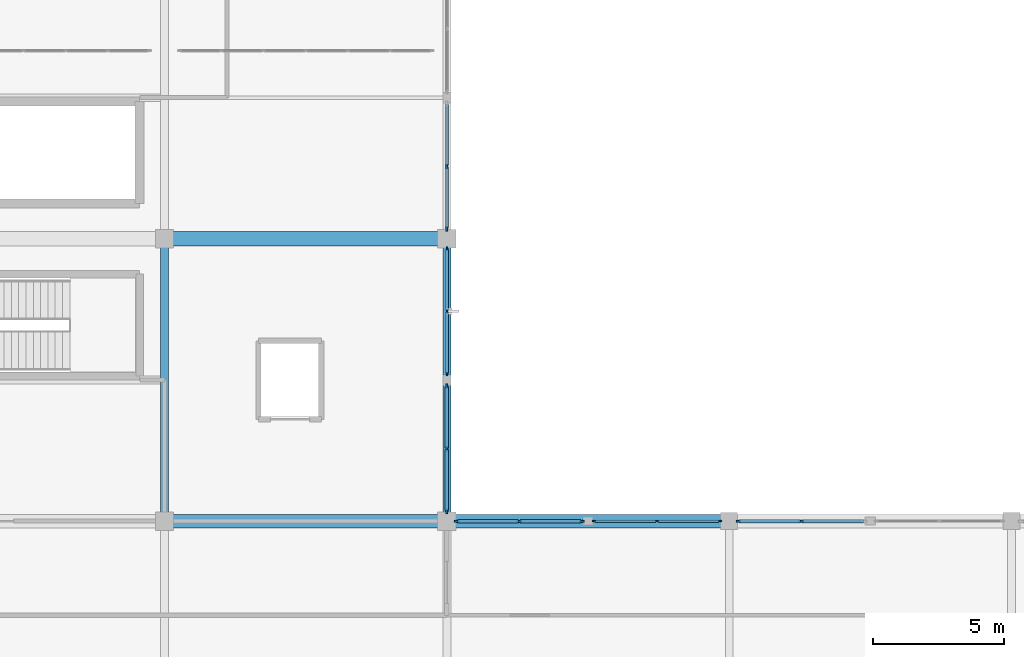
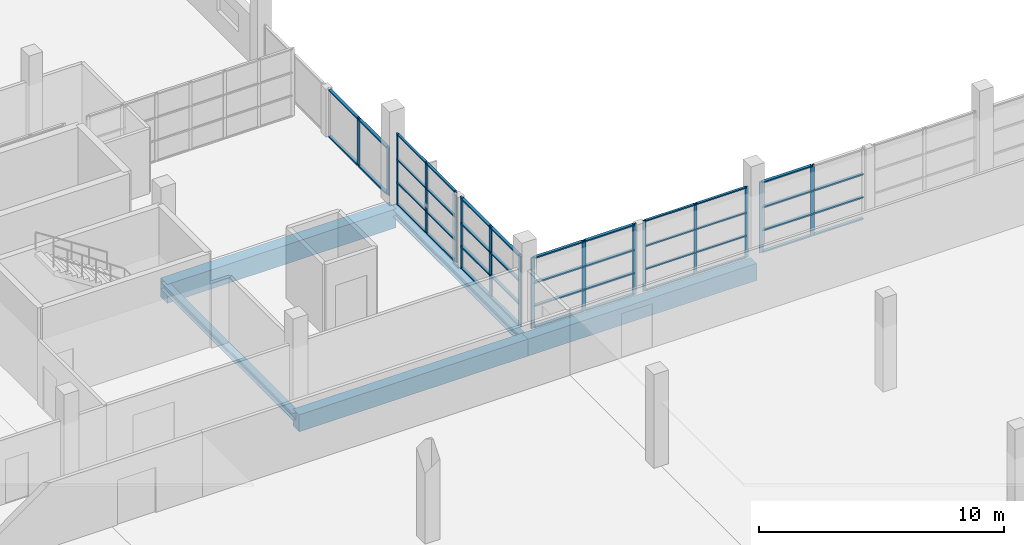
# One storey, part 62 of 142: 59 members, 5 beams, 6 elements without a shape of their own.
"""IFC4 building model written with IfcOpenShell, lengths in metres."""

from ifc_helpers import new_model, si_unit, direction, frame, origin, origin_2d, place, context, subcontext, project, spatial, rectangle, i_section, extrude, material, material_profile, profile_set, type_object, element, aggregate, save


model = new_model("IFC4")

# Units and contexts
model_context = context("Model", 3, precision=1e-05, world=origin(), true_north=direction((0.0, 1.0)))
body_context = subcontext(model_context, "Body", "Model", "MODEL_VIEW")
ifc_project = project(units=[si_unit("LENGTHUNIT", "METRE"), si_unit("AREAUNIT", "SQUARE_METRE"), si_unit("VOLUMEUNIT", "CUBIC_METRE"), si_unit("PLANEANGLEUNIT", "RADIAN"), si_unit("MASSUNIT", "GRAM", prefix="KILO")], contexts=[model_context])

# Site, building, storey
site_placement = place(None, origin())
site = spatial("IfcSite", under=ifc_project, at=site_placement, CompositionType="ELEMENT")
building_placement = place(site_placement, origin())
building = spatial("IfcBuilding", under=site, at=building_placement, Name="Zwinboog Wholesale Market", CompositionType="ELEMENT")
storey_placement = place(building_placement, frame((0.0, 0.0, 5.39990234375)))
storey = spatial("IfcBuildingStorey", under=building, at=storey_placement, Name="L01", CompositionType="ELEMENT", Elevation=5.39990234375)

# Beams
ifc_material_1 = material(Name="Precast concrete C45/55", Category="concrete")
ifc_material_profile_1 = material_profile(ifc_material_1, rectangle(XDim=0.550048828125, YDim=0.949951171875, at=origin_2d()), Name="PC 550x950")
ifc_profile_set_1 = profile_set([ifc_material_profile_1], Name="Precast concrete C45/55")
beam_type_1 = type_object("IfcBeamType", Name="BT-02", PredefinedType="BEAM", material=ifc_profile_set_1)
beam_placement = place(storey_placement, frame((162.0, 43.199951171875, -0.77978515625), z_axis=(1.0, 0.0, 0.0), x_axis=(0.0, 1.0, 0.0)))
element("IfcBeam", 1, at=beam_placement, inside=storey, type_object=beam_type_1, Name="BG-02 (BMG-L01-1620-0432-0474)", PredefinedType="BEAM", context=body_context, shape_type="SweptSolid", body=[
    extrude(rectangle(XDim=0.550048828125, YDim=0.949951171875, at=origin_2d()), origin(), (0.0, 0.0, 1.0), 10.800048828125),
])
ifc_material_profile_2 = material_profile(ifc_material_1, rectangle(XDim=0.5, YDim=0.85009765625, at=origin_2d()), Name="PC 500x850")
ifc_profile_set_2 = profile_set([ifc_material_profile_2], Name="Precast concrete C45/55")
beam_type_2 = type_object("IfcBeamType", Name="BT-03", PredefinedType="BEAM", material=ifc_profile_set_2)
for number, where, z_axis, x_axis, name in (
    (2, (162.0, 32.39990234375, -0.704833984375), (1.0, 0.0, 0.0), (0.0, 1.0, 0.0), "BG-03 (BMG-L01-1620-0324-0456)"),
    (3, (172.800048828125, 32.39990234375, -0.704833984375), (1.0, 0.0, 0.0), (0.0, 1.0, 0.0), "BG-03 (BMG-L01-1728-0324-0457)"),
):
    element("IfcBeam", number, at=place(storey_placement, frame(where, z_axis=z_axis, x_axis=x_axis)), inside=storey, type_object=beam_type_2, Name=name, PredefinedType="BEAM", context=body_context, shape_type="SweptSolid", body=[
        extrude(rectangle(XDim=0.5, YDim=0.85009765625, at=origin_2d()), origin(), (0.0, 0.0, 1.0), 10.800048828125),
    ])
ifc_material_2 = material(Name="Steel S355", Category="steel")
ifc_material_profile_3 = material_profile(ifc_material_2, i_section(OverallWidth=0.300048828125, OverallDepth=0.35009765625, WebThickness=0.010009765625, FlangeThickness=0.017578125, FilletRadius=0.027099609375, at=origin_2d()), Name="HEA 360")
ifc_profile_set_3 = profile_set([ifc_material_profile_3], Name="Steel S355")
beam_type_3 = type_object("IfcBeamType", Name="BT-17", PredefinedType="BEAM", material=ifc_profile_set_3)
for number, where, z_axis, x_axis, name in (
    (4, (162.0, 32.39990234375, -0.47998046875), (0.0, 1.0, 0.0), (-1.0, 0.0, 0.0), "SB-04 (BMG-L01-1620-0324-0736)"),
    (5, (172.800048828125, 32.39990234375, -0.47998046875), (0.0, 1.0, 0.0), (-1.0, 0.0, 0.0), "SB-04 (BMG-L01-1728-0324-0748)"),
):
    element("IfcBeam", number, at=place(storey_placement, frame(where, z_axis=z_axis, x_axis=x_axis)), inside=storey, type_object=beam_type_3, Name=name, PredefinedType="BEAM", context=body_context, shape_type="SweptSolid", body=[
        extrude(i_section(OverallWidth=0.300048828125, OverallDepth=0.35009765625, WebThickness=0.010009765625, FlangeThickness=0.017578125, FilletRadius=0.027099609375, at=origin_2d()), origin(), (0.0, 0.0, 1.0), 10.800048828125),
    ])

# Curtain wall, members
ifc_material_3 = material(Name="Aluminium thermally broken curtain wall", Category="aluminium")
curtain_wall_type_1 = type_object("IfcCurtainWallType", Name="CWT-CAFE-22", PredefinedType="USERDEFINED", material=ifc_material_3)
curtain_wall_1_placement = place(storey_placement, origin())
curtain_wall_1 = element("IfcCurtainWall", 6, at=curtain_wall_1_placement, inside=storey, type_object=curtain_wall_type_1, Name="CW-05 (CW-L01-131)", ObjectType="STOREFRONT_GLAZING", PredefinedType="USERDEFINED")
ifc_material_4 = material(Name="Aluminium EN AW-6060", Category="aluminium")
ifc_material_profile_4 = material_profile(ifc_material_4, rectangle(XDim=0.06494140625, YDim=0.179931640625, at=origin_2d()), Name="AL 65x180")
ifc_profile_set_4 = profile_set([ifc_material_profile_4], Name="Aluminium EN AW-6060")
member_type_1 = type_object("IfcMemberType", Name="CWM-65x180", PredefinedType="MULLION", material=ifc_profile_set_4)
member_1_placement = place(storey_placement, frame((172.800048828125, 32.777587890625, 0.0), z_axis=(0.0, 0.0, 1.0), x_axis=(-1.0, 0.0, 0.0)))
member_1 = element("IfcMember", 7, at=member_1_placement, type_object=member_type_1, Name="CW-05 mullion 1", PredefinedType="MULLION", context=body_context, shape_type="SweptSolid", body=[
    extrude(rectangle(XDim=0.06494140625, YDim=0.179931640625, at=origin_2d()), origin(), (0.0, 0.0, 1.0), 3.530029296875),
])
member_2_placement = place(storey_placement, frame((172.800048828125, 35.172607421875, 0.0), z_axis=(0.0, 0.0, 1.0), x_axis=(-1.0, 0.0, 0.0)))
member_2 = element("IfcMember", 8, at=member_2_placement, type_object=member_type_1, Name="CW-05 mullion 2", PredefinedType="MULLION", context=body_context, shape_type="SweptSolid", body=[
    extrude(rectangle(XDim=0.06494140625, YDim=0.179931640625, at=origin_2d()), origin(), (0.0, 0.0, 1.0), 3.530029296875),
])
member_3_placement = place(storey_placement, frame((172.800048828125, 37.5673828125, 0.0), z_axis=(0.0, 0.0, 1.0), x_axis=(-1.0, 0.0, 0.0)))
member_3 = element("IfcMember", 9, at=member_3_placement, type_object=member_type_1, Name="CW-05 mullion 3", PredefinedType="MULLION", context=body_context, shape_type="SweptSolid", body=[
    extrude(rectangle(XDim=0.06494140625, YDim=0.179931640625, at=origin_2d()), origin(), (0.0, 0.0, 1.0), 3.530029296875),
])

curtain_wall_type_2 = type_object("IfcCurtainWallType", Name="CWT-STALL-18", PredefinedType="USERDEFINED", material=ifc_material_3)
curtain_wall_2_placement = place(storey_placement, origin())
curtain_wall_2 = element("IfcCurtainWall", 10, at=curtain_wall_2_placement, inside=storey, type_object=curtain_wall_type_2, Name="CW-01 (CW-L01-133)", ObjectType="STOREFRONT_GLAZING", PredefinedType="USERDEFINED")
member_4_placement = place(storey_placement, frame((172.800048828125, 43.577392578125, 0.0), z_axis=(0.0, 0.0, 1.0), x_axis=(-1.0, 0.0, 0.0)))
member_4 = element("IfcMember", 11, at=member_4_placement, type_object=member_type_1, Name="CW-01 mullion 1", PredefinedType="MULLION", context=body_context, shape_type="SweptSolid", body=[
    extrude(rectangle(XDim=0.06494140625, YDim=0.179931640625, at=origin_2d()), origin(), (0.0, 0.0, 1.0), 2.380126953125),
])
member_5_placement = place(storey_placement, frame((172.800048828125, 45.972412109375, 0.0), z_axis=(0.0, 0.0, 1.0), x_axis=(-1.0, 0.0, 0.0)))
member_5 = element("IfcMember", 12, at=member_5_placement, type_object=member_type_1, Name="CW-01 mullion 2", PredefinedType="MULLION", context=body_context, shape_type="SweptSolid", body=[
    extrude(rectangle(XDim=0.06494140625, YDim=0.179931640625, at=origin_2d()), origin(), (0.0, 0.0, 1.0), 2.380126953125),
])

curtain_wall_3_placement = place(storey_placement, origin())
curtain_wall_3 = element("IfcCurtainWall", 13, at=curtain_wall_3_placement, inside=storey, type_object=curtain_wall_type_1, Name="CW-05 (CW-L01-143)", ObjectType="STOREFRONT_GLAZING", PredefinedType="USERDEFINED")
member_6_placement = place(storey_placement, frame((173.177490234375, 32.39990234375, 0.0), z_axis=(0.0, 0.0, 1.0), x_axis=(0.0, 1.0, 0.0)))
member_6 = element("IfcMember", 14, at=member_6_placement, type_object=member_type_1, Name="CW-05 mullion 1", PredefinedType="MULLION", context=body_context, shape_type="SweptSolid", body=[
    extrude(rectangle(XDim=0.06494140625, YDim=0.179931640625, at=origin_2d()), origin(), (0.0, 0.0, 1.0), 3.530029296875),
])
member_7_placement = place(storey_placement, frame((175.572509765625, 32.39990234375, 0.0), z_axis=(0.0, 0.0, 1.0), x_axis=(0.0, 1.0, 0.0)))
member_7 = element("IfcMember", 15, at=member_7_placement, type_object=member_type_1, Name="CW-05 mullion 2", PredefinedType="MULLION", context=body_context, shape_type="SweptSolid", body=[
    extrude(rectangle(XDim=0.06494140625, YDim=0.179931640625, at=origin_2d()), origin(), (0.0, 0.0, 1.0), 3.530029296875),
])
member_8_placement = place(storey_placement, frame((177.967529296875, 32.39990234375, 0.0), z_axis=(0.0, 0.0, 1.0), x_axis=(0.0, 1.0, 0.0)))
member_8 = element("IfcMember", 16, at=member_8_placement, type_object=member_type_1, Name="CW-05 mullion 3", PredefinedType="MULLION", context=body_context, shape_type="SweptSolid", body=[
    extrude(rectangle(XDim=0.06494140625, YDim=0.179931640625, at=origin_2d()), origin(), (0.0, 0.0, 1.0), 3.530029296875),
])

curtain_wall_4_placement = place(storey_placement, origin())
curtain_wall_4 = element("IfcCurtainWall", 17, at=curtain_wall_4_placement, inside=storey, type_object=curtain_wall_type_2, Name="CW-01 (CW-L01-145)", ObjectType="STOREFRONT_GLAZING", PredefinedType="USERDEFINED")
member_9_placement = place(storey_placement, frame((183.952392578125, 32.39990234375, 0.0), z_axis=(0.0, 0.0, 1.0), x_axis=(0.0, 1.0, 0.0)))
member_9 = element("IfcMember", 18, at=member_9_placement, type_object=member_type_1, Name="CW-01 mullion 1", PredefinedType="MULLION", context=body_context, shape_type="SweptSolid", body=[
    extrude(rectangle(XDim=0.06494140625, YDim=0.179931640625, at=origin_2d()), origin(), (0.0, 0.0, 1.0), 3.530029296875),
])
member_10_placement = place(storey_placement, frame((186.360107421875, 32.39990234375, 0.0), z_axis=(0.0, 0.0, 1.0), x_axis=(0.0, 1.0, 0.0)))
member_10 = element("IfcMember", 19, at=member_10_placement, type_object=member_type_1, Name="CW-01 mullion 2", PredefinedType="MULLION", context=body_context, shape_type="SweptSolid", body=[
    extrude(rectangle(XDim=0.06494140625, YDim=0.179931640625, at=origin_2d()), origin(), (0.0, 0.0, 1.0), 3.530029296875),
])

curtain_wall_type_3 = type_object("IfcCurtainWallType", Name="CWT-OFF-15", PredefinedType="USERDEFINED", material=ifc_material_3)
curtain_wall_5_placement = place(storey_placement, origin())
curtain_wall_5 = element("IfcCurtainWall", 20, at=curtain_wall_5_placement, inside=storey, type_object=curtain_wall_type_3, Name="CW-06 (CW-L01-132)", ObjectType="UNITIZED_CURTAIN_WALL", PredefinedType="USERDEFINED")
ifc_material_profile_5 = material_profile(ifc_material_4, rectangle(XDim=0.06005859375, YDim=0.14990234375, at=origin_2d()), Name="AL 60x150")
ifc_profile_set_5 = profile_set([ifc_material_profile_5], Name="Aluminium EN AW-6060")
member_type_2 = type_object("IfcMemberType", Name="CWM-60x150", PredefinedType="MULLION", material=ifc_profile_set_5)
member_11_placement = place(storey_placement, frame((172.800048828125, 38.030029296875, 0.0), z_axis=(0.0, 0.0, 1.0), x_axis=(-1.0, 0.0, 0.0)))
member_11 = element("IfcMember", 21, at=member_11_placement, type_object=member_type_2, Name="CW-06 mullion 1", PredefinedType="MULLION", context=body_context, shape_type="SweptSolid", body=[
    extrude(rectangle(XDim=0.06005859375, YDim=0.14990234375, at=origin_2d()), origin(), (0.0, 0.0, 1.0), 3.530029296875),
])
member_12_placement = place(storey_placement, frame((172.800048828125, 40.427490234375, 0.0), z_axis=(0.0, 0.0, 1.0), x_axis=(-1.0, 0.0, 0.0)))
member_12 = element("IfcMember", 22, at=member_12_placement, type_object=member_type_2, Name="CW-06 mullion 2", PredefinedType="MULLION", context=body_context, shape_type="SweptSolid", body=[
    extrude(rectangle(XDim=0.06005859375, YDim=0.14990234375, at=origin_2d()), origin(), (0.0, 0.0, 1.0), 3.530029296875),
])
member_13_placement = place(storey_placement, frame((172.800048828125, 42.824951171875, 0.0), z_axis=(0.0, 0.0, 1.0), x_axis=(-1.0, 0.0, 0.0)))
member_13 = element("IfcMember", 23, at=member_13_placement, type_object=member_type_2, Name="CW-06 mullion 3", PredefinedType="MULLION", context=body_context, shape_type="SweptSolid", body=[
    extrude(rectangle(XDim=0.06005859375, YDim=0.14990234375, at=origin_2d()), origin(), (0.0, 0.0, 1.0), 3.530029296875),
])

curtain_wall_6_placement = place(storey_placement, origin())
curtain_wall_6 = element("IfcCurtainWall", 24, at=curtain_wall_6_placement, inside=storey, type_object=curtain_wall_type_3, Name="CW-06 (CW-L01-144)", ObjectType="UNITIZED_CURTAIN_WALL", PredefinedType="USERDEFINED")
member_14_placement = place(storey_placement, frame((178.429931640625, 32.39990234375, 0.0), z_axis=(0.0, 0.0, 1.0), x_axis=(0.0, 1.0, 0.0)))
member_14 = element("IfcMember", 25, at=member_14_placement, type_object=member_type_2, Name="CW-06 mullion 1", PredefinedType="MULLION", context=body_context, shape_type="SweptSolid", body=[
    extrude(rectangle(XDim=0.06005859375, YDim=0.14990234375, at=origin_2d()), origin(), (0.0, 0.0, 1.0), 3.530029296875),
])
member_15_placement = place(storey_placement, frame((180.840087890625, 32.39990234375, 0.0), z_axis=(0.0, 0.0, 1.0), x_axis=(0.0, 1.0, 0.0)))
member_15 = element("IfcMember", 26, at=member_15_placement, type_object=member_type_2, Name="CW-06 mullion 2", PredefinedType="MULLION", context=body_context, shape_type="SweptSolid", body=[
    extrude(rectangle(XDim=0.06005859375, YDim=0.14990234375, at=origin_2d()), origin(), (0.0, 0.0, 1.0), 3.530029296875),
])
member_16_placement = place(storey_placement, frame((183.25, 32.39990234375, 0.0), z_axis=(0.0, 0.0, 1.0), x_axis=(0.0, 1.0, 0.0)))
member_16 = element("IfcMember", 27, at=member_16_placement, type_object=member_type_2, Name="CW-06 mullion 3", PredefinedType="MULLION", context=body_context, shape_type="SweptSolid", body=[
    extrude(rectangle(XDim=0.06005859375, YDim=0.14990234375, at=origin_2d()), origin(), (0.0, 0.0, 1.0), 3.530029296875),
])

# Member
ifc_material_profile_6 = material_profile(ifc_material_4, rectangle(XDim=0.139892578125, YDim=0.06494140625, at=origin_2d()), Name="AL 65x140")
ifc_profile_set_6 = profile_set([ifc_material_profile_6], Name="Aluminium EN AW-6060")
member_type_3 = type_object("IfcMemberType", Name="CWT-65x140", PredefinedType="USERDEFINED", material=ifc_profile_set_6)
member_17_placement = place(storey_placement, frame((172.800048828125, 32.81005859375, 0.03271484375), z_axis=(0.0, 1.0, 0.0), x_axis=(-1.0, 0.0, 0.0)))
member_17 = element("IfcMember", 28, at=member_17_placement, type_object=member_type_3, Name="CW-05 transom 1.1", ObjectType="TRANSOM", PredefinedType="USERDEFINED", context=body_context, shape_type="SweptSolid", body=[
    extrude(rectangle(XDim=0.139892578125, YDim=0.06494140625, at=origin_2d()), origin(), (0.0, 0.0, 1.0), 2.329833984375),
])

member_18_placement = place(storey_placement, frame((172.800048828125, 32.81005859375, 1.10009765625), z_axis=(0.0, 1.0, 0.0), x_axis=(-1.0, 0.0, 0.0)))
member_18 = element("IfcMember", 29, at=member_18_placement, type_object=member_type_3, Name="CW-05 transom 1.2", ObjectType="TRANSOM", PredefinedType="USERDEFINED", context=body_context, shape_type="SweptSolid", body=[
    extrude(rectangle(XDim=0.139892578125, YDim=0.06494140625, at=origin_2d()), origin(), (0.0, 0.0, 1.0), 2.329833984375),
])

member_19_placement = place(storey_placement, frame((172.800048828125, 32.81005859375, 2.25), z_axis=(0.0, 1.0, 0.0), x_axis=(-1.0, 0.0, 0.0)))
member_19 = element("IfcMember", 30, at=member_19_placement, type_object=member_type_3, Name="CW-05 transom 1.3", ObjectType="TRANSOM", PredefinedType="USERDEFINED", context=body_context, shape_type="SweptSolid", body=[
    extrude(rectangle(XDim=0.139892578125, YDim=0.06494140625, at=origin_2d()), origin(), (0.0, 0.0, 1.0), 2.329833984375),
])

member_20_placement = place(storey_placement, frame((172.800048828125, 32.81005859375, 3.49755859375), z_axis=(0.0, 1.0, 0.0), x_axis=(-1.0, 0.0, 0.0)))
member_20 = element("IfcMember", 31, at=member_20_placement, type_object=member_type_3, Name="CW-05 transom 1.4", ObjectType="TRANSOM", PredefinedType="USERDEFINED", context=body_context, shape_type="SweptSolid", body=[
    extrude(rectangle(XDim=0.139892578125, YDim=0.06494140625, at=origin_2d()), origin(), (0.0, 0.0, 1.0), 2.329833984375),
])

member_21_placement = place(storey_placement, frame((172.800048828125, 35.205078125, 0.03271484375), z_axis=(0.0, 1.0, 0.0), x_axis=(-1.0, 0.0, 0.0)))
member_21 = element("IfcMember", 32, at=member_21_placement, type_object=member_type_3, Name="CW-05 transom 2.1", ObjectType="TRANSOM", PredefinedType="USERDEFINED", context=body_context, shape_type="SweptSolid", body=[
    extrude(rectangle(XDim=0.139892578125, YDim=0.06494140625, at=origin_2d()), origin(), (0.0, 0.0, 1.0), 2.329833984375),
])

member_22_placement = place(storey_placement, frame((172.800048828125, 35.205078125, 1.10009765625), z_axis=(0.0, 1.0, 0.0), x_axis=(-1.0, 0.0, 0.0)))
member_22 = element("IfcMember", 33, at=member_22_placement, type_object=member_type_3, Name="CW-05 transom 2.2", ObjectType="TRANSOM", PredefinedType="USERDEFINED", context=body_context, shape_type="SweptSolid", body=[
    extrude(rectangle(XDim=0.139892578125, YDim=0.06494140625, at=origin_2d()), origin(), (0.0, 0.0, 1.0), 2.329833984375),
])

member_23_placement = place(storey_placement, frame((172.800048828125, 35.205078125, 2.25), z_axis=(0.0, 1.0, 0.0), x_axis=(-1.0, 0.0, 0.0)))
member_23 = element("IfcMember", 34, at=member_23_placement, type_object=member_type_3, Name="CW-05 transom 2.3", ObjectType="TRANSOM", PredefinedType="USERDEFINED", context=body_context, shape_type="SweptSolid", body=[
    extrude(rectangle(XDim=0.139892578125, YDim=0.06494140625, at=origin_2d()), origin(), (0.0, 0.0, 1.0), 2.329833984375),
])

member_24_placement = place(storey_placement, frame((172.800048828125, 35.205078125, 3.49755859375), z_axis=(0.0, 1.0, 0.0), x_axis=(-1.0, 0.0, 0.0)))
member_24 = element("IfcMember", 35, at=member_24_placement, type_object=member_type_3, Name="CW-05 transom 2.4", ObjectType="TRANSOM", PredefinedType="USERDEFINED", context=body_context, shape_type="SweptSolid", body=[
    extrude(rectangle(XDim=0.139892578125, YDim=0.06494140625, at=origin_2d()), origin(), (0.0, 0.0, 1.0), 2.329833984375),
])

aggregate(curtain_wall_1, [member_1, member_2, member_3, member_17, member_18, member_19, member_20, member_21, member_22, member_23, member_24])

member_25_placement = place(storey_placement, frame((172.800048828125, 43.610107421875, 0.03271484375), z_axis=(0.0, 1.0, 0.0), x_axis=(-1.0, 0.0, 0.0)))
member_25 = element("IfcMember", 36, at=member_25_placement, type_object=member_type_3, Name="CW-01 transom 1.1", ObjectType="TRANSOM", PredefinedType="USERDEFINED", context=body_context, shape_type="SweptSolid", body=[
    extrude(rectangle(XDim=0.139892578125, YDim=0.06494140625, at=origin_2d()), origin(), (0.0, 0.0, 1.0), 2.329833984375),
])

member_26_placement = place(storey_placement, frame((172.800048828125, 43.610107421875, 2.34765625), z_axis=(0.0, 1.0, 0.0), x_axis=(-1.0, 0.0, 0.0)))
member_26 = element("IfcMember", 37, at=member_26_placement, type_object=member_type_3, Name="CW-01 transom 1.2", ObjectType="TRANSOM", PredefinedType="USERDEFINED", context=body_context, shape_type="SweptSolid", body=[
    extrude(rectangle(XDim=0.139892578125, YDim=0.06494140625, at=origin_2d()), origin(), (0.0, 0.0, 1.0), 2.329833984375),
])

member_27_placement = place(storey_placement, frame((172.800048828125, 46.0048828125, 0.03271484375), z_axis=(0.0, 1.0, 0.0), x_axis=(-1.0, 0.0, 0.0)))
member_27 = element("IfcMember", 38, at=member_27_placement, type_object=member_type_3, Name="CW-01 transom 2.1", ObjectType="TRANSOM", PredefinedType="USERDEFINED", context=body_context, shape_type="SweptSolid", body=[
    extrude(rectangle(XDim=0.139892578125, YDim=0.06494140625, at=origin_2d()), origin(), (0.0, 0.0, 1.0), 2.330078125),
])

member_28_placement = place(storey_placement, frame((172.800048828125, 46.0048828125, 2.34765625), z_axis=(0.0, 1.0, 0.0), x_axis=(-1.0, 0.0, 0.0)))
member_28 = element("IfcMember", 39, at=member_28_placement, type_object=member_type_3, Name="CW-01 transom 2.2", ObjectType="TRANSOM", PredefinedType="USERDEFINED", context=body_context, shape_type="SweptSolid", body=[
    extrude(rectangle(XDim=0.139892578125, YDim=0.06494140625, at=origin_2d()), origin(), (0.0, 0.0, 1.0), 2.330078125),
])

aggregate(curtain_wall_2, [member_4, member_5, member_25, member_26, member_27, member_28])

member_29_placement = place(storey_placement, frame((173.2099609375, 32.39990234375, 0.03271484375), z_axis=(1.0, 0.0, 0.0), x_axis=(0.0, 1.0, 0.0)))
member_29 = element("IfcMember", 40, at=member_29_placement, type_object=member_type_3, Name="CW-05 transom 1.1", ObjectType="TRANSOM", PredefinedType="USERDEFINED", context=body_context, shape_type="SweptSolid", body=[
    extrude(rectangle(XDim=0.139892578125, YDim=0.06494140625, at=origin_2d()), origin(), (0.0, 0.0, 1.0), 2.330078125),
])

member_30_placement = place(storey_placement, frame((173.2099609375, 32.39990234375, 1.10009765625), z_axis=(1.0, 0.0, 0.0), x_axis=(0.0, 1.0, 0.0)))
member_30 = element("IfcMember", 41, at=member_30_placement, type_object=member_type_3, Name="CW-05 transom 1.2", ObjectType="TRANSOM", PredefinedType="USERDEFINED", context=body_context, shape_type="SweptSolid", body=[
    extrude(rectangle(XDim=0.139892578125, YDim=0.06494140625, at=origin_2d()), origin(), (0.0, 0.0, 1.0), 2.330078125),
])

member_31_placement = place(storey_placement, frame((173.2099609375, 32.39990234375, 2.25), z_axis=(1.0, 0.0, 0.0), x_axis=(0.0, 1.0, 0.0)))
member_31 = element("IfcMember", 42, at=member_31_placement, type_object=member_type_3, Name="CW-05 transom 1.3", ObjectType="TRANSOM", PredefinedType="USERDEFINED", context=body_context, shape_type="SweptSolid", body=[
    extrude(rectangle(XDim=0.139892578125, YDim=0.06494140625, at=origin_2d()), origin(), (0.0, 0.0, 1.0), 2.330078125),
])

member_32_placement = place(storey_placement, frame((173.2099609375, 32.39990234375, 3.49755859375), z_axis=(1.0, 0.0, 0.0), x_axis=(0.0, 1.0, 0.0)))
member_32 = element("IfcMember", 43, at=member_32_placement, type_object=member_type_3, Name="CW-05 transom 1.4", ObjectType="TRANSOM", PredefinedType="USERDEFINED", context=body_context, shape_type="SweptSolid", body=[
    extrude(rectangle(XDim=0.139892578125, YDim=0.06494140625, at=origin_2d()), origin(), (0.0, 0.0, 1.0), 2.330078125),
])

member_33_placement = place(storey_placement, frame((175.60498046875, 32.39990234375, 0.03271484375), z_axis=(1.0, 0.0, 0.0), x_axis=(0.0, 1.0, 0.0)))
member_33 = element("IfcMember", 44, at=member_33_placement, type_object=member_type_3, Name="CW-05 transom 2.1", ObjectType="TRANSOM", PredefinedType="USERDEFINED", context=body_context, shape_type="SweptSolid", body=[
    extrude(rectangle(XDim=0.139892578125, YDim=0.06494140625, at=origin_2d()), origin(), (0.0, 0.0, 1.0), 2.330078125),
])

member_34_placement = place(storey_placement, frame((175.60498046875, 32.39990234375, 1.10009765625), z_axis=(1.0, 0.0, 0.0), x_axis=(0.0, 1.0, 0.0)))
member_34 = element("IfcMember", 45, at=member_34_placement, type_object=member_type_3, Name="CW-05 transom 2.2", ObjectType="TRANSOM", PredefinedType="USERDEFINED", context=body_context, shape_type="SweptSolid", body=[
    extrude(rectangle(XDim=0.139892578125, YDim=0.06494140625, at=origin_2d()), origin(), (0.0, 0.0, 1.0), 2.330078125),
])

member_35_placement = place(storey_placement, frame((175.60498046875, 32.39990234375, 2.25), z_axis=(1.0, 0.0, 0.0), x_axis=(0.0, 1.0, 0.0)))
member_35 = element("IfcMember", 46, at=member_35_placement, type_object=member_type_3, Name="CW-05 transom 2.3", ObjectType="TRANSOM", PredefinedType="USERDEFINED", context=body_context, shape_type="SweptSolid", body=[
    extrude(rectangle(XDim=0.139892578125, YDim=0.06494140625, at=origin_2d()), origin(), (0.0, 0.0, 1.0), 2.330078125),
])

member_36_placement = place(storey_placement, frame((175.60498046875, 32.39990234375, 3.49755859375), z_axis=(1.0, 0.0, 0.0), x_axis=(0.0, 1.0, 0.0)))
member_36 = element("IfcMember", 47, at=member_36_placement, type_object=member_type_3, Name="CW-05 transom 2.4", ObjectType="TRANSOM", PredefinedType="USERDEFINED", context=body_context, shape_type="SweptSolid", body=[
    extrude(rectangle(XDim=0.139892578125, YDim=0.06494140625, at=origin_2d()), origin(), (0.0, 0.0, 1.0), 2.330078125),
])

aggregate(curtain_wall_3, [member_6, member_7, member_8, member_29, member_30, member_31, member_32, member_33, member_34, member_35, member_36])

member_37_placement = place(storey_placement, frame((183.985107421875, 32.39990234375, 0.03271484375), z_axis=(1.0, 0.0, 0.0), x_axis=(0.0, 1.0, 0.0)))
member_37 = element("IfcMember", 48, at=member_37_placement, type_object=member_type_3, Name="CW-01 transom 1.1", ObjectType="TRANSOM", PredefinedType="USERDEFINED", context=body_context, shape_type="SweptSolid", body=[
    extrude(rectangle(XDim=0.139892578125, YDim=0.06494140625, at=origin_2d()), origin(), (0.0, 0.0, 1.0), 2.34228515625),
])

member_38_placement = place(storey_placement, frame((183.985107421875, 32.39990234375, 1.10009765625), z_axis=(1.0, 0.0, 0.0), x_axis=(0.0, 1.0, 0.0)))
member_38 = element("IfcMember", 49, at=member_38_placement, type_object=member_type_3, Name="CW-01 transom 1.2", ObjectType="TRANSOM", PredefinedType="USERDEFINED", context=body_context, shape_type="SweptSolid", body=[
    extrude(rectangle(XDim=0.139892578125, YDim=0.06494140625, at=origin_2d()), origin(), (0.0, 0.0, 1.0), 2.34228515625),
])

member_39_placement = place(storey_placement, frame((183.985107421875, 32.39990234375, 2.25), z_axis=(1.0, 0.0, 0.0), x_axis=(0.0, 1.0, 0.0)))
member_39 = element("IfcMember", 50, at=member_39_placement, type_object=member_type_3, Name="CW-01 transom 1.3", ObjectType="TRANSOM", PredefinedType="USERDEFINED", context=body_context, shape_type="SweptSolid", body=[
    extrude(rectangle(XDim=0.139892578125, YDim=0.06494140625, at=origin_2d()), origin(), (0.0, 0.0, 1.0), 2.34228515625),
])

member_40_placement = place(storey_placement, frame((183.985107421875, 32.39990234375, 3.49755859375), z_axis=(1.0, 0.0, 0.0), x_axis=(0.0, 1.0, 0.0)))
member_40 = element("IfcMember", 51, at=member_40_placement, type_object=member_type_3, Name="CW-01 transom 1.4", ObjectType="TRANSOM", PredefinedType="USERDEFINED", context=body_context, shape_type="SweptSolid", body=[
    extrude(rectangle(XDim=0.139892578125, YDim=0.06494140625, at=origin_2d()), origin(), (0.0, 0.0, 1.0), 2.34228515625),
])

member_41_placement = place(storey_placement, frame((186.392578125, 32.39990234375, 0.03271484375), z_axis=(1.0, 0.0, 0.0), x_axis=(0.0, 1.0, 0.0)))
member_41 = element("IfcMember", 52, at=member_41_placement, type_object=member_type_3, Name="CW-01 transom 2.1", ObjectType="TRANSOM", PredefinedType="USERDEFINED", context=body_context, shape_type="SweptSolid", body=[
    extrude(rectangle(XDim=0.139892578125, YDim=0.06494140625, at=origin_2d()), origin(), (0.0, 0.0, 1.0), 2.342529296875),
])

member_42_placement = place(storey_placement, frame((186.392578125, 32.39990234375, 1.10009765625), z_axis=(1.0, 0.0, 0.0), x_axis=(0.0, 1.0, 0.0)))
member_42 = element("IfcMember", 53, at=member_42_placement, type_object=member_type_3, Name="CW-01 transom 2.2", ObjectType="TRANSOM", PredefinedType="USERDEFINED", context=body_context, shape_type="SweptSolid", body=[
    extrude(rectangle(XDim=0.139892578125, YDim=0.06494140625, at=origin_2d()), origin(), (0.0, 0.0, 1.0), 2.342529296875),
])

member_43_placement = place(storey_placement, frame((186.392578125, 32.39990234375, 2.25), z_axis=(1.0, 0.0, 0.0), x_axis=(0.0, 1.0, 0.0)))
member_43 = element("IfcMember", 54, at=member_43_placement, type_object=member_type_3, Name="CW-01 transom 2.3", ObjectType="TRANSOM", PredefinedType="USERDEFINED", context=body_context, shape_type="SweptSolid", body=[
    extrude(rectangle(XDim=0.139892578125, YDim=0.06494140625, at=origin_2d()), origin(), (0.0, 0.0, 1.0), 2.342529296875),
])

aggregate(curtain_wall_4, [member_9, member_10, member_37, member_38, member_39, member_40, member_41, member_42, member_43])

ifc_material_profile_7 = material_profile(ifc_material_4, rectangle(XDim=0.110107421875, YDim=0.06005859375, at=origin_2d()), Name="AL 60x110")
ifc_profile_set_7 = profile_set([ifc_material_profile_7], Name="Aluminium EN AW-6060")
member_type_4 = type_object("IfcMemberType", Name="CWT-60x110", PredefinedType="USERDEFINED", material=ifc_profile_set_7)
member_44_placement = place(storey_placement, frame((172.800048828125, 38.06005859375, 0.030029296875), z_axis=(0.0, 1.0, 0.0), x_axis=(-1.0, 0.0, 0.0)))
member_44 = element("IfcMember", 55, at=member_44_placement, type_object=member_type_4, Name="CW-06 transom 1.1", ObjectType="TRANSOM", PredefinedType="USERDEFINED", context=body_context, shape_type="SweptSolid", body=[
    extrude(rectangle(XDim=0.110107421875, YDim=0.06005859375, at=origin_2d()), origin(), (0.0, 0.0, 1.0), 2.33740234375),
])

member_45_placement = place(storey_placement, frame((172.800048828125, 38.06005859375, 1.10009765625), z_axis=(0.0, 1.0, 0.0), x_axis=(-1.0, 0.0, 0.0)))
member_45 = element("IfcMember", 56, at=member_45_placement, type_object=member_type_4, Name="CW-06 transom 1.2", ObjectType="TRANSOM", PredefinedType="USERDEFINED", context=body_context, shape_type="SweptSolid", body=[
    extrude(rectangle(XDim=0.110107421875, YDim=0.06005859375, at=origin_2d()), origin(), (0.0, 0.0, 1.0), 2.33740234375),
])

member_46_placement = place(storey_placement, frame((172.800048828125, 38.06005859375, 2.25), z_axis=(0.0, 1.0, 0.0), x_axis=(-1.0, 0.0, 0.0)))
member_46 = element("IfcMember", 57, at=member_46_placement, type_object=member_type_4, Name="CW-06 transom 1.3", ObjectType="TRANSOM", PredefinedType="USERDEFINED", context=body_context, shape_type="SweptSolid", body=[
    extrude(rectangle(XDim=0.110107421875, YDim=0.06005859375, at=origin_2d()), origin(), (0.0, 0.0, 1.0), 2.33740234375),
])

member_47_placement = place(storey_placement, frame((172.800048828125, 38.06005859375, 3.5), z_axis=(0.0, 1.0, 0.0), x_axis=(-1.0, 0.0, 0.0)))
member_47 = element("IfcMember", 58, at=member_47_placement, type_object=member_type_4, Name="CW-06 transom 1.4", ObjectType="TRANSOM", PredefinedType="USERDEFINED", context=body_context, shape_type="SweptSolid", body=[
    extrude(rectangle(XDim=0.110107421875, YDim=0.06005859375, at=origin_2d()), origin(), (0.0, 0.0, 1.0), 2.33740234375),
])

member_48_placement = place(storey_placement, frame((172.800048828125, 40.45751953125, 0.030029296875), z_axis=(0.0, 1.0, 0.0), x_axis=(-1.0, 0.0, 0.0)))
member_48 = element("IfcMember", 59, at=member_48_placement, type_object=member_type_4, Name="CW-06 transom 2.1", ObjectType="TRANSOM", PredefinedType="USERDEFINED", context=body_context, shape_type="SweptSolid", body=[
    extrude(rectangle(XDim=0.110107421875, YDim=0.06005859375, at=origin_2d()), origin(), (0.0, 0.0, 1.0), 2.33740234375),
])

member_49_placement = place(storey_placement, frame((172.800048828125, 40.45751953125, 1.10009765625), z_axis=(0.0, 1.0, 0.0), x_axis=(-1.0, 0.0, 0.0)))
member_49 = element("IfcMember", 60, at=member_49_placement, type_object=member_type_4, Name="CW-06 transom 2.2", ObjectType="TRANSOM", PredefinedType="USERDEFINED", context=body_context, shape_type="SweptSolid", body=[
    extrude(rectangle(XDim=0.110107421875, YDim=0.06005859375, at=origin_2d()), origin(), (0.0, 0.0, 1.0), 2.33740234375),
])

member_50_placement = place(storey_placement, frame((172.800048828125, 40.45751953125, 2.25), z_axis=(0.0, 1.0, 0.0), x_axis=(-1.0, 0.0, 0.0)))
member_50 = element("IfcMember", 61, at=member_50_placement, type_object=member_type_4, Name="CW-06 transom 2.3", ObjectType="TRANSOM", PredefinedType="USERDEFINED", context=body_context, shape_type="SweptSolid", body=[
    extrude(rectangle(XDim=0.110107421875, YDim=0.06005859375, at=origin_2d()), origin(), (0.0, 0.0, 1.0), 2.33740234375),
])

member_51_placement = place(storey_placement, frame((172.800048828125, 40.45751953125, 3.5), z_axis=(0.0, 1.0, 0.0), x_axis=(-1.0, 0.0, 0.0)))
member_51 = element("IfcMember", 62, at=member_51_placement, type_object=member_type_4, Name="CW-06 transom 2.4", ObjectType="TRANSOM", PredefinedType="USERDEFINED", context=body_context, shape_type="SweptSolid", body=[
    extrude(rectangle(XDim=0.110107421875, YDim=0.06005859375, at=origin_2d()), origin(), (0.0, 0.0, 1.0), 2.33740234375),
])

aggregate(curtain_wall_5, [member_11, member_12, member_13, member_44, member_45, member_46, member_47, member_48, member_49, member_50, member_51])

member_52_placement = place(storey_placement, frame((178.4599609375, 32.39990234375, 0.030029296875), z_axis=(1.0, 0.0, 0.0), x_axis=(0.0, 1.0, 0.0)))
member_52 = element("IfcMember", 63, at=member_52_placement, type_object=member_type_4, Name="CW-06 transom 1.1", ObjectType="TRANSOM", PredefinedType="USERDEFINED", context=body_context, shape_type="SweptSolid", body=[
    extrude(rectangle(XDim=0.110107421875, YDim=0.06005859375, at=origin_2d()), origin(), (0.0, 0.0, 1.0), 2.35009765625),
])

member_53_placement = place(storey_placement, frame((178.4599609375, 32.39990234375, 1.10009765625), z_axis=(1.0, 0.0, 0.0), x_axis=(0.0, 1.0, 0.0)))
member_53 = element("IfcMember", 64, at=member_53_placement, type_object=member_type_4, Name="CW-06 transom 1.2", ObjectType="TRANSOM", PredefinedType="USERDEFINED", context=body_context, shape_type="SweptSolid", body=[
    extrude(rectangle(XDim=0.110107421875, YDim=0.06005859375, at=origin_2d()), origin(), (0.0, 0.0, 1.0), 2.35009765625),
])

member_54_placement = place(storey_placement, frame((178.4599609375, 32.39990234375, 2.25), z_axis=(1.0, 0.0, 0.0), x_axis=(0.0, 1.0, 0.0)))
member_54 = element("IfcMember", 65, at=member_54_placement, type_object=member_type_4, Name="CW-06 transom 1.3", ObjectType="TRANSOM", PredefinedType="USERDEFINED", context=body_context, shape_type="SweptSolid", body=[
    extrude(rectangle(XDim=0.110107421875, YDim=0.06005859375, at=origin_2d()), origin(), (0.0, 0.0, 1.0), 2.35009765625),
])

member_55_placement = place(storey_placement, frame((178.4599609375, 32.39990234375, 3.5), z_axis=(1.0, 0.0, 0.0), x_axis=(0.0, 1.0, 0.0)))
member_55 = element("IfcMember", 66, at=member_55_placement, type_object=member_type_4, Name="CW-06 transom 1.4", ObjectType="TRANSOM", PredefinedType="USERDEFINED", context=body_context, shape_type="SweptSolid", body=[
    extrude(rectangle(XDim=0.110107421875, YDim=0.06005859375, at=origin_2d()), origin(), (0.0, 0.0, 1.0), 2.35009765625),
])

member_56_placement = place(storey_placement, frame((180.8701171875, 32.39990234375, 0.030029296875), z_axis=(1.0, 0.0, 0.0), x_axis=(0.0, 1.0, 0.0)))
member_56 = element("IfcMember", 67, at=member_56_placement, type_object=member_type_4, Name="CW-06 transom 2.1", ObjectType="TRANSOM", PredefinedType="USERDEFINED", context=body_context, shape_type="SweptSolid", body=[
    extrude(rectangle(XDim=0.110107421875, YDim=0.06005859375, at=origin_2d()), origin(), (0.0, 0.0, 1.0), 2.349853515625),
])

member_57_placement = place(storey_placement, frame((180.8701171875, 32.39990234375, 1.10009765625), z_axis=(1.0, 0.0, 0.0), x_axis=(0.0, 1.0, 0.0)))
member_57 = element("IfcMember", 68, at=member_57_placement, type_object=member_type_4, Name="CW-06 transom 2.2", ObjectType="TRANSOM", PredefinedType="USERDEFINED", context=body_context, shape_type="SweptSolid", body=[
    extrude(rectangle(XDim=0.110107421875, YDim=0.06005859375, at=origin_2d()), origin(), (0.0, 0.0, 1.0), 2.349853515625),
])

member_58_placement = place(storey_placement, frame((180.8701171875, 32.39990234375, 2.25), z_axis=(1.0, 0.0, 0.0), x_axis=(0.0, 1.0, 0.0)))
member_58 = element("IfcMember", 69, at=member_58_placement, type_object=member_type_4, Name="CW-06 transom 2.3", ObjectType="TRANSOM", PredefinedType="USERDEFINED", context=body_context, shape_type="SweptSolid", body=[
    extrude(rectangle(XDim=0.110107421875, YDim=0.06005859375, at=origin_2d()), origin(), (0.0, 0.0, 1.0), 2.349853515625),
])

member_59_placement = place(storey_placement, frame((180.8701171875, 32.39990234375, 3.5), z_axis=(1.0, 0.0, 0.0), x_axis=(0.0, 1.0, 0.0)))
member_59 = element("IfcMember", 70, at=member_59_placement, type_object=member_type_4, Name="CW-06 transom 2.4", ObjectType="TRANSOM", PredefinedType="USERDEFINED", context=body_context, shape_type="SweptSolid", body=[
    extrude(rectangle(XDim=0.110107421875, YDim=0.06005859375, at=origin_2d()), origin(), (0.0, 0.0, 1.0), 2.349853515625),
])

aggregate(curtain_wall_6, [member_14, member_15, member_16, member_52, member_53, member_54, member_55, member_56, member_57, member_58, member_59])

save(model, "model.ifc")
